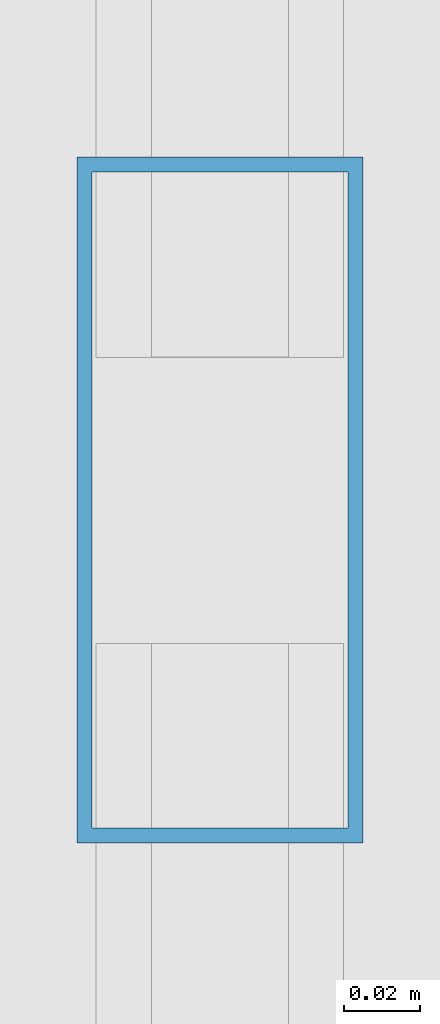
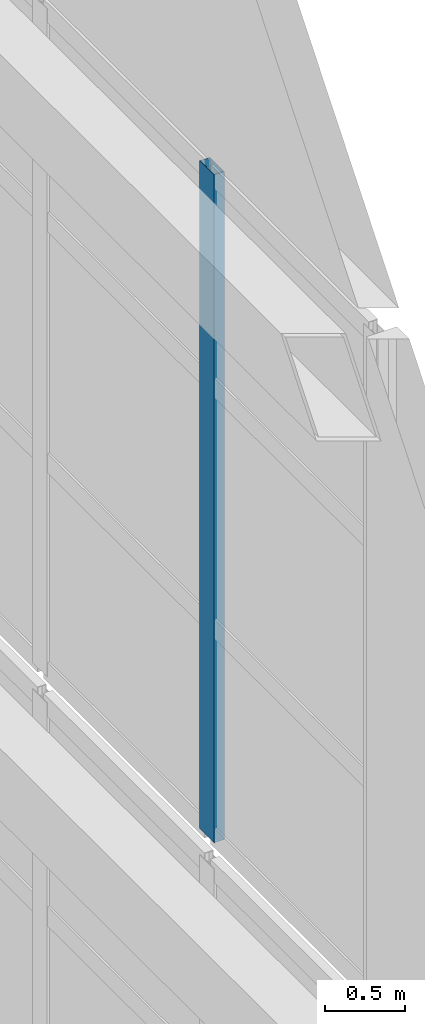
# One storey, part 27 of 47: 1 member, 1 element without a shape of its own.
"""IFC4 building model written with IfcOpenShell, lengths in metres."""

from ifc_helpers import new_model, si_unit, direction, frame, origin, origin_2d, place, context, subcontext, project, spatial, hollow_rectangle, extrude, material, layer, layer_set, material_profile, profile_set, type_object, element, aggregate, save


model = new_model("IFC4")

# Units and contexts
model_context = context("Model", 3, precision=1e-05, world=origin(), true_north=direction((0.0, 1.0)))
body_context = subcontext(model_context, "Body", "Model", "MODEL_VIEW")
ifc_project = project(units=[si_unit("LENGTHUNIT", "METRE"), si_unit("AREAUNIT", "SQUARE_METRE"), si_unit("VOLUMEUNIT", "CUBIC_METRE"), si_unit("PLANEANGLEUNIT", "RADIAN"), si_unit("MASSUNIT", "GRAM", prefix="KILO")], contexts=[model_context])

# Site, building, storey
site_placement = place(None, origin())
site = spatial("IfcSite", under=ifc_project, at=site_placement, CompositionType="ELEMENT")
building_placement = place(site_placement, origin())
building = spatial("IfcBuilding", under=site, at=building_placement, Name="Qiaolan Cultural Towers", CompositionType="ELEMENT")
storey_placement = place(building_placement, frame((0.0, 0.0, 280.199951171875)))
storey = spatial("IfcBuildingStorey", under=building, at=storey_placement, Name="RF", CompositionType="ELEMENT", Elevation=280.199951171875)

# Curtain wall, member
ifc_material_1 = material(Name="Unitized Anodized Aluminium Curtain Wall System", Category="aluminium")
ifc_layer = layer(ifc_material_1, 0.199951171875)
ifc_layer_set = layer_set([ifc_layer], Name="Unitized Anodized Aluminium Curtain Wall System")
curtain_wall_type = type_object("IfcCurtainWallType", Name="CWS-06", PredefinedType="NOTDEFINED", material=ifc_layer_set)
curtain_wall_placement = place(storey_placement, origin())
curtain_wall = element("IfcCurtainWall", 1, at=curtain_wall_placement, inside=storey, type_object=curtain_wall_type, Name="T1 Crown Tier 5 Fritted Screen Curtain Wall 3", PredefinedType="NOTDEFINED")
ifc_material_2 = material(Name="Extruded Aluminium 6063-T6", Category="aluminium")
ifc_material_profile = material_profile(ifc_material_2, hollow_rectangle(XDim=0.074951171875, YDim=0.179931640625, WallThickness=0.00390625, at=origin_2d()), Name="CWM-180x75x4")
ifc_profile_set = profile_set([ifc_material_profile], Name="Extruded Aluminium 6063-T6")
member_type = type_object("IfcMemberType", Name="CWS-06-MUL", PredefinedType="MULLION", material=ifc_profile_set)
member_placement = place(storey_placement, frame((45.050048828125, 29.820068359375, 21.300048828125), z_axis=(0.0, 0.0, 1.0), x_axis=(-1.0, 0.0, 0.0)))
member = element("IfcMember", 2, at=member_placement, type_object=member_type, Name="CW-6 mullion 2", PredefinedType="MULLION", context=body_context, shape_type="SweptSolid", body=[
    extrude(hollow_rectangle(XDim=0.074951171875, YDim=0.179931640625, WallThickness=0.00390625, at=origin_2d()), origin(), (0.0, 0.0, 1.0), 5.10009765625),
])
aggregate(curtain_wall, [member])

save(model, "model.ifc")
